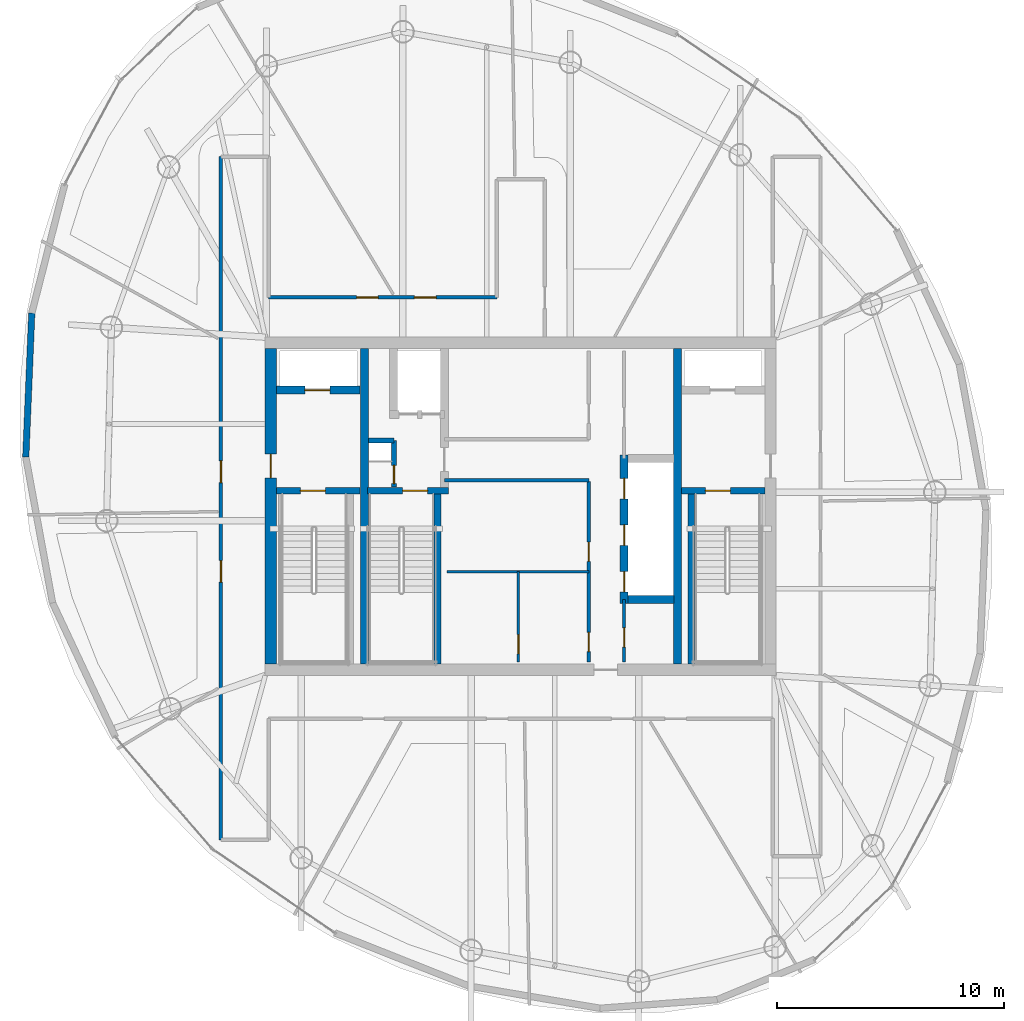
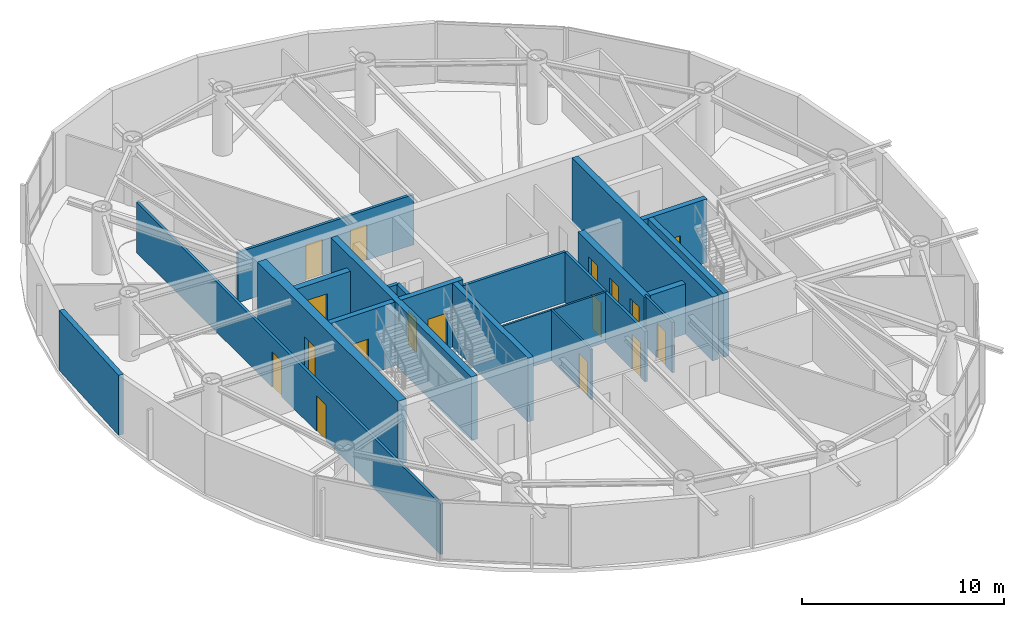
# One storey, part 11 of 16: 21 walls, 17 doors, 17 openings.
"""IFC4 building model written with IfcOpenShell, lengths in metres."""

from ifc_helpers import new_model, si_unit, direction, frame, frame_2d, origin, place, context, subcontext, project, spatial, rectangle, extrude, material, layer, layer_set, type_object, element, fill, save


model = new_model("IFC4")

# Units and contexts
model_context = context("Model", 3, precision=1e-05, world=origin(), true_north=direction((0.0, 1.0)))
body_context = subcontext(model_context, "Body", "Model", "MODEL_VIEW")
ifc_project = project(units=[si_unit("LENGTHUNIT", "METRE"), si_unit("AREAUNIT", "SQUARE_METRE"), si_unit("VOLUMEUNIT", "CUBIC_METRE"), si_unit("PLANEANGLEUNIT", "RADIAN"), si_unit("MASSUNIT", "GRAM", prefix="KILO")], contexts=[model_context])

# Site, building, storey
site_placement = place(None, origin())
site = spatial("IfcSite", under=ifc_project, at=site_placement, CompositionType="ELEMENT")
building_placement = place(site_placement, origin())
building = spatial("IfcBuilding", under=site, at=building_placement, Name="Bramvorn Convention Spire", CompositionType="ELEMENT")
storey_placement = place(building_placement, frame((0.0, 0.0, 261.300048828125)))
storey = spatial("IfcBuildingStorey", under=building, at=storey_placement, Name="L66", CompositionType="ELEMENT", Elevation=261.300048828125)

# Wall, opening, door
ifc_material_1 = material(Name="Concrete C50/60", Category="concrete")
ifc_layer_1 = layer(ifc_material_1, 0.5)
ifc_layer_set_1 = layer_set([ifc_layer_1], Name="Concrete C50/60 - WL-CORE-500")
wall_type_1 = type_object("IfcWallType", Name="WL-CORE-500", PredefinedType="SHEAR", material=ifc_layer_set_1)
wall_1_placement = place(storey_placement, frame((27.0, 19.050048828125, 0.0), z_axis=(0.0, 0.0, 1.0), x_axis=(0.0, 1.0, 0.0)))
wall_1 = element("IfcWall", 1, at=wall_1_placement, inside=storey, type_object=wall_type_1, Name="L66 West RC core shear wall", PredefinedType="SHEAR", context=body_context, shape_type="SweptSolid", body=[
    extrude(rectangle(XDim=13.89990234375, YDim=0.5, at=frame_2d((6.949951171875, 0.0))), origin(), (0.0, 0.0, 1.0), 3.849853515625),
])
opening_1_placement = place(wall_1_placement, frame((8.199951171875, 0.0, 0.0)))
opening_1 = element("IfcOpeningElement", 2, at=opening_1_placement, cuts=wall_1, Name="Opening DL-105", PredefinedType="OPENING", context=body_context, shape_type="SweptSolid", body=[
    extrude(rectangle(XDim=1.050048828125, YDim=2.14990234375, at=frame_2d((0.52490234375, 1.074951171875))), frame((0.0, 0.260009765625, 0.0), z_axis=(0.0, -1.0, 0.0), x_axis=(1.0, 0.0, 0.0)), (0.0, 0.0, 1.0), 0.52001953125),
])
ifc_material_2 = material(Name="Smoke-Sealed Fire Lobby Timber-Core Door", Category="wood")
door_type_1 = type_object("IfcDoorType", Name="DR-LOBBY-1050", OperationType="NOTDEFINED", PredefinedType="DOOR", material=ifc_material_2)
door_1_placement = place(opening_1_placement, origin())
door_1 = element("IfcDoor", 3, at=door_1_placement, inside=storey, type_object=door_type_1, Name="L66 West Firefighting Lobby corridor door", OperationType="SINGLE_SWING_RIGHT", OverallHeight=2.14990234375, OverallWidth=1.050048828125, PredefinedType="DOOR", context=body_context, shape_type="SweptSolid", body=[
    extrude(rectangle(XDim=1.050048828125, YDim=2.14990234375, at=frame_2d((0.52490234375, 1.074951171875))), frame((0.0, 0.02490234375, 0.0), z_axis=(0.0, -1.0, 0.0), x_axis=(1.0, 0.0, 0.0)), (0.0, 0.0, 1.0), 0.050048828125),
])
fill(opening_1, door_1)

# Walls
ifc_layer_2 = layer(ifc_material_1, 0.35009765625)
ifc_layer_set_2 = layer_set([ifc_layer_2], Name="Concrete C50/60 - WL-CORE-INT-350")
wall_type_2 = type_object("IfcWallType", Name="WL-CORE-INT-350", PredefinedType="SHEAR", material=ifc_layer_set_2)
for number, where, z_axis, x_axis, name in (
    (4, (31.1298828125, 19.050048828125, 0.0), (0.0, 0.0, 1.0), (0.0, 1.0, 0.0), "L66 West internal core shear web"),
    (5, (44.89990234375, 19.050048828125, 0.0), (0.0, 0.0, 1.0), (0.0, 1.0, 0.0), "L66 East internal core shear web"),
):
    element("IfcWall", number, at=place(storey_placement, frame(where, z_axis=z_axis, x_axis=x_axis)), inside=storey, type_object=wall_type_2, Name=name, PredefinedType="SHEAR", context=body_context, shape_type="SweptSolid", body=[
        extrude(rectangle(XDim=13.89990234375, YDim=0.35009765625, at=frame_2d((6.949951171875, 0.0))), origin(), (0.0, 0.0, 1.0), 3.849853515625),
    ])

# Wall, opening, door
wall_2_placement = place(storey_placement, frame((27.25, 31.1201171875, 0.0), z_axis=(0.0, 0.0, 1.0), x_axis=(1.0, 0.0, 0.0)))
wall_2 = element("IfcWall", 6, at=wall_2_placement, inside=storey, type_object=wall_type_2, Name="L66 FE1 shaft front wall", PredefinedType="SHEAR", context=body_context, shape_type="SweptSolid", body=[
    extrude(rectangle(XDim=3.669921875, YDim=0.35009765625, at=frame_2d((1.8349609375, 0.0))), origin(), (0.0, 0.0, 1.0), 3.0400390625),
])
opening_2_placement = place(wall_2_placement, frame((1.25, 0.0, 0.0)))
opening_2 = element("IfcOpeningElement", 7, at=opening_2_placement, cuts=wall_2, Name="Opening LD-110", PredefinedType="OPENING", context=body_context, shape_type="SweptSolid", body=[
    extrude(rectangle(XDim=1.10009765625, YDim=2.14990234375, at=frame_2d((0.550048828125, 1.074951171875))), frame((0.0, 0.18505859375, 0.0), z_axis=(0.0, -1.0, 0.0), x_axis=(1.0, 0.0, 0.0)), (0.0, 0.0, 1.0), 0.3701171875),
])
ifc_material_3 = material(Name="Firefighting & Service Lift Sliding Landing Door", Category="steel")
door_type_2 = type_object("IfcDoorType", Name="DR-LIFT-LD-1100", OperationType="NOTDEFINED", PredefinedType="DOOR", material=ifc_material_3)
door_2_placement = place(opening_2_placement, origin())
door_2 = element("IfcDoor", 8, at=door_2_placement, inside=storey, type_object=door_type_2, Name="L66 Lift FE1 Sliding Landing Door", OperationType="SLIDING_TO_LEFT", OverallHeight=2.14990234375, OverallWidth=1.10009765625, PredefinedType="DOOR", context=body_context, shape_type="SweptSolid", body=[
    extrude(rectangle(XDim=1.10009765625, YDim=2.14990234375, at=frame_2d((0.550048828125, 1.074951171875))), frame((0.0, 0.02490234375, 0.0), z_axis=(0.0, -1.0, 0.0), x_axis=(1.0, 0.0, 0.0)), (0.0, 0.0, 1.0), 0.050048828125),
])
fill(opening_2, door_2)

# Wall, openings, doors
wall_3_placement = place(storey_placement, frame((42.550048828125, 21.72998046875, 0.0), z_axis=(0.0, 0.0, 1.0), x_axis=(0.0, 1.0, 0.0)))
wall_3 = element("IfcWall", 9, at=wall_3_placement, inside=storey, type_object=wall_type_2, Name="L66 High-rise lift bank west wall", PredefinedType="SHEAR", context=body_context, shape_type="SweptSolid", body=[
    extrude(rectangle(XDim=6.5400390625, YDim=0.35009765625, at=frame_2d((3.27001953125, 0.0))), origin(), (0.0, 0.0, 1.0), 3.0400390625),
])
opening_3_placement = place(wall_3_placement, frame((0.5, 0.0, 0.0)))
opening_3 = element("IfcOpeningElement", 10, at=opening_3_placement, cuts=wall_3, Name="Opening LD-090", PredefinedType="OPENING", context=body_context, shape_type="SweptSolid", body=[
    extrude(rectangle(XDim=0.89990234375, YDim=2.14990234375, at=frame_2d((0.449951171875, 1.074951171875))), frame((0.0, 0.18505859375, 0.0), z_axis=(0.0, -1.0, 0.0), x_axis=(1.0, 0.0, 0.0)), (0.0, 0.0, 1.0), 0.3701171875),
])
opening_4_placement = place(wall_3_placement, frame((2.550048828125, 0.0, 0.0)))
opening_4 = element("IfcOpeningElement", 11, at=opening_4_placement, cuts=wall_3, Name="Opening LD-090", PredefinedType="OPENING", context=body_context, shape_type="SweptSolid", body=[
    extrude(rectangle(XDim=0.89990234375, YDim=2.14990234375, at=frame_2d((0.449951171875, 1.074951171875))), frame((0.0, 0.18505859375, 0.0), z_axis=(0.0, -1.0, 0.0), x_axis=(1.0, 0.0, 0.0)), (0.0, 0.0, 1.0), 0.3701171875),
])
opening_5_placement = place(wall_3_placement, frame((4.60009765625, 0.0, 0.0)))
opening_5 = element("IfcOpeningElement", 12, at=opening_5_placement, cuts=wall_3, Name="Opening LD-090", PredefinedType="OPENING", context=body_context, shape_type="SweptSolid", body=[
    extrude(rectangle(XDim=0.89990234375, YDim=2.14990234375, at=frame_2d((0.449951171875, 1.074951171875))), frame((0.0, 0.18505859375, 0.0), z_axis=(0.0, -1.0, 0.0), x_axis=(1.0, 0.0, 0.0)), (0.0, 0.0, 1.0), 0.3701171875),
])
ifc_material_4 = material(Name="Bi-Parting Fire-Rated Lift Landing Door", Category="steel")
door_type_3 = type_object("IfcDoorType", Name="DR-LIFT-LD-900", OperationType="NOTDEFINED", PredefinedType="DOOR", material=ifc_material_4)
door_3_placement = place(opening_3_placement, origin())
door_3 = element("IfcDoor", 13, at=door_3_placement, inside=storey, type_object=door_type_3, Name="L66 Lift PH1 Sliding Landing Door", OperationType="SLIDING_TO_LEFT", OverallHeight=2.14990234375, OverallWidth=0.89990234375, PredefinedType="DOOR", context=body_context, shape_type="SweptSolid", body=[
    extrude(rectangle(XDim=0.89990234375, YDim=2.14990234375, at=frame_2d((0.449951171875, 1.074951171875))), frame((0.0, 0.02490234375, 0.0), z_axis=(0.0, -1.0, 0.0), x_axis=(1.0, 0.0, 0.0)), (0.0, 0.0, 1.0), 0.050048828125),
])
fill(opening_3, door_3)
door_4_placement = place(opening_4_placement, origin())
door_4 = element("IfcDoor", 14, at=door_4_placement, inside=storey, type_object=door_type_3, Name="L66 Lift PH2 Sliding Landing Door", OperationType="SLIDING_TO_LEFT", OverallHeight=2.14990234375, OverallWidth=0.89990234375, PredefinedType="DOOR", context=body_context, shape_type="SweptSolid", body=[
    extrude(rectangle(XDim=0.89990234375, YDim=2.14990234375, at=frame_2d((0.449951171875, 1.074951171875))), frame((0.0, 0.02490234375, 0.0), z_axis=(0.0, -1.0, 0.0), x_axis=(1.0, 0.0, 0.0)), (0.0, 0.0, 1.0), 0.050048828125),
])
fill(opening_4, door_4)
door_5_placement = place(opening_5_placement, origin())
door_5 = element("IfcDoor", 15, at=door_5_placement, inside=storey, type_object=door_type_3, Name="L66 Lift PH3 Sliding Landing Door", OperationType="SLIDING_TO_LEFT", OverallHeight=2.14990234375, OverallWidth=0.89990234375, PredefinedType="DOOR", context=body_context, shape_type="SweptSolid", body=[
    extrude(rectangle(XDim=0.89990234375, YDim=2.14990234375, at=frame_2d((0.449951171875, 1.074951171875))), frame((0.0, 0.02490234375, 0.0), z_axis=(0.0, -1.0, 0.0), x_axis=(1.0, 0.0, 0.0)), (0.0, 0.0, 1.0), 0.050048828125),
])
fill(opening_5, door_5)

# Walls
wall_4_placement = place(storey_placement, frame((42.719970703125, 21.89990234375, 0.0), z_axis=(0.0, 0.0, 1.0), x_axis=(1.0, 0.0, 0.0)))
element("IfcWall", 16, at=wall_4_placement, inside=storey, type_object=wall_type_2, Name="L66 High-rise lift bank south wall", PredefinedType="SHEAR", context=body_context, shape_type="SweptSolid", body=[
    extrude(rectangle(XDim=2.030029296875, YDim=0.35009765625, at=frame_2d((1.01513671875, 0.0))), origin(), (0.0, 0.0, 1.0), 3.0400390625),
])
ifc_material_5 = material(Name="Precast Concrete C40/50 with Bronze Terracotta Rainscreen", Category="masonry")
ifc_layer_3 = layer(ifc_material_5, 0.300048828125)
ifc_layer_set_3 = layer_set([ifc_layer_3], Name="Precast Concrete C40/50 with Bronze Terracotta Rainscreen - WL-EXT-BRONZE-300")
wall_type_3 = type_object("IfcWallType", Name="WL-EXT-BRONZE-300", PredefinedType="SOLIDWALL", material=ifc_layer_set_3)
wall_5_placement = place(storey_placement, frame((16.20703125, 28.1708984375, 0.0), z_axis=(0.0, 0.0, 1.0), x_axis=(0.04151531728, 0.999137867579, 0.0)))
element("IfcWall", 17, at=wall_5_placement, inside=storey, type_object=wall_type_3, Name="L66 expressed bronze Gothic lancet pier wall 16", PredefinedType="SOLIDWALL", context=body_context, shape_type="SweptSolid", body=[
    extrude(rectangle(XDim=6.34521484375, YDim=0.280029296875, at=frame_2d((3.172607421875, 0.0))), origin(), (0.0, 0.0, 1.0), 3.625),
])
ifc_material_6 = material(Name="Lightweight En-Suite & Wet-Wall Partition", Category="gypsum")
ifc_layer_4 = layer(ifc_material_6, 0.110107421875)
ifc_layer_set_4 = layer_set([ifc_layer_4], Name="Lightweight En-Suite & Wet-Wall Partition - WL-PART-110")
wall_type_4 = type_object("IfcWallType", Name="WL-PART-110", PredefinedType="PARTITIONING", material=ifc_layer_set_4)
wall_6_placement = place(storey_placement, frame((34.75, 23.125, 0.0), z_axis=(0.0, 0.0, 1.0), x_axis=(1.0, 0.0, 0.0)))
element("IfcWall", 18, at=wall_6_placement, inside=storey, type_object=wall_type_4, Name="L66 KA horizontal core divider", PredefinedType="PARTITIONING", context=body_context, shape_type="SweptSolid", body=[
    extrude(rectangle(XDim=6.25, YDim=0.110107421875, at=frame_2d((3.125, 0.0))), origin(), (0.0, 0.0, 1.0), 3.0400390625),
])

# Wall, opening, door
wall_7_placement = place(storey_placement, frame((37.89990234375, 19.14990234375, 0.0), z_axis=(0.0, 0.0, 1.0), x_axis=(0.0, 1.0, 0.0)))
wall_7 = element("IfcWall", 19, at=wall_7_placement, inside=storey, type_object=wall_type_4, Name="L66 KA restroom subwall", PredefinedType="PARTITIONING", context=body_context, shape_type="SweptSolid", body=[
    extrude(rectangle(XDim=3.97509765625, YDim=0.110107421875, at=frame_2d((1.987548828125, 0.0))), origin(), (0.0, 0.0, 1.0), 3.0400390625),
])
opening_6_placement = place(wall_7_placement, frame((0.35009765625, 0.0, 0.0)))
opening_6 = element("IfcOpeningElement", 20, at=opening_6_placement, cuts=wall_7, Name="Opening DC-085", PredefinedType="OPENING", context=body_context, shape_type="SweptSolid", body=[
    extrude(rectangle(XDim=0.85009765625, YDim=2.10009765625, at=frame_2d((0.425048828125, 1.050048828125))), frame((0.0, 0.06494140625, 0.0), z_axis=(0.0, -1.0, 0.0), x_axis=(1.0, 0.0, 0.0)), (0.0, 0.0, 1.0), 0.130126953125),
])
ifc_material_7 = material(Name="Fire-Rated Core Washroom & IDF Door", Category="wood")
door_type_4 = type_object("IfcDoorType", Name="DR-CORE-850", OperationType="NOTDEFINED", PredefinedType="DOOR", material=ifc_material_7)
door_6_placement = place(opening_6_placement, origin())
door_6 = element("IfcDoor", 21, at=door_6_placement, inside=storey, type_object=door_type_4, Name="L66 Core IT Closet door", OperationType="SINGLE_SWING_LEFT", OverallHeight=2.10009765625, OverallWidth=0.85009765625, PredefinedType="DOOR", context=body_context, shape_type="SweptSolid", body=[
    extrude(rectangle(XDim=0.85009765625, YDim=2.10009765625, at=frame_2d((0.425048828125, 1.050048828125))), frame((0.0, 0.02490234375, 0.0), z_axis=(0.0, -1.0, 0.0), x_axis=(1.0, 0.0, 0.0)), (0.0, 0.0, 1.0), 0.050048828125),
])
fill(opening_6, door_6)

ifc_material_8 = material(Name="Metal-Stud Demountable Office Partition", Category="gypsum")
ifc_layer_5 = layer(ifc_material_8, 0.1298828125)
ifc_layer_set_5 = layer_set([ifc_layer_5], Name="Metal-Stud Demountable Office Partition - WL-PART-130")
wall_type_5 = type_object("IfcWallType", Name="WL-PART-130", PredefinedType="PARTITIONING", material=ifc_layer_set_5)
wall_8_placement = place(storey_placement, frame((42.550048828125, 19.14990234375, 0.0), z_axis=(0.0, 0.0, 1.0), x_axis=(0.0, 1.0, 0.0)))
wall_8 = element("IfcWall", 22, at=wall_8_placement, inside=storey, type_object=wall_type_5, Name="L66 KA SE store wall", PredefinedType="PARTITIONING", context=body_context, shape_type="SweptSolid", body=[
    extrude(rectangle(XDim=2.75, YDim=0.1298828125, at=frame_2d((1.375, 0.0))), origin(), (0.0, 0.0, 1.0), 3.0400390625),
])
opening_7_placement = place(wall_8_placement, frame((0.64990234375, 0.0, 0.0)))
opening_7 = element("IfcOpeningElement", 23, at=opening_7_placement, cuts=wall_8, Name="Opening DC-085", PredefinedType="OPENING", context=body_context, shape_type="SweptSolid", body=[
    extrude(rectangle(XDim=0.85009765625, YDim=2.10009765625, at=frame_2d((0.425048828125, 1.050048828125))), frame((0.0, 0.074951171875, 0.0), z_axis=(0.0, -1.0, 0.0), x_axis=(1.0, 0.0, 0.0)), (0.0, 0.0, 1.0), 0.14990234375),
])
door_7_placement = place(opening_7_placement, origin())
door_7 = element("IfcDoor", 24, at=door_7_placement, inside=storey, type_object=door_type_4, Name="L66 Tenant Pantry & Copy Centre door", OperationType="SINGLE_SWING_LEFT", OverallHeight=2.10009765625, OverallWidth=0.85009765625, PredefinedType="DOOR", context=body_context, shape_type="SweptSolid", body=[
    extrude(rectangle(XDim=0.85009765625, YDim=2.10009765625, at=frame_2d((0.425048828125, 1.050048828125))), frame((0.0, 0.02490234375, 0.0), z_axis=(0.0, -1.0, 0.0), x_axis=(1.0, 0.0, 0.0)), (0.0, 0.0, 1.0), 0.050048828125),
])
fill(opening_7, door_7)

# Wall
ifc_material_9 = material(Name="Acoustic Metal-Stud Tenant/Corridor Partition", Category="gypsum")
ifc_layer_6 = layer(ifc_material_9, 0.14990234375)
ifc_layer_set_6 = layer_set([ifc_layer_6], Name="Acoustic Metal-Stud Tenant/Corridor Partition - WL-PART-150")
wall_type_6 = type_object("IfcWallType", Name="WL-PART-150", PredefinedType="PARTITIONING", material=ifc_layer_set_6)
wall_9_placement = place(storey_placement, frame((34.639892578125, 27.14990234375, 0.0), z_axis=(0.0, 0.0, 1.0), x_axis=(1.0, 0.0, 0.0)))
element("IfcWall", 25, at=wall_9_placement, inside=storey, type_object=wall_type_6, Name="L66 Cross-core passage south wall", PredefinedType="PARTITIONING", context=body_context, shape_type="SweptSolid", body=[
    extrude(rectangle(XDim=6.360107421875, YDim=0.14990234375, at=frame_2d((3.18017578125, 0.0))), origin(), (0.0, 0.0, 1.0), 3.0400390625),
])

# Wall, openings, doors
wall_10_placement = place(storey_placement, frame((41.0, 19.14990234375, 0.0), z_axis=(0.0, 0.0, 1.0), x_axis=(0.0, 1.0, 0.0)))
wall_10 = element("IfcWall", 26, at=wall_10_placement, inside=storey, type_object=wall_type_6, Name="L66 KA east core wall", PredefinedType="PARTITIONING", context=body_context, shape_type="SweptSolid", body=[
    extrude(rectangle(XDim=7.9501953125, YDim=0.14990234375, at=frame_2d((3.97509765625, 0.0))), origin(), (0.0, 0.0, 1.0), 3.0400390625),
])
opening_8_placement = place(wall_10_placement, frame((4.425048828125, 0.0, 0.0)))
opening_8 = element("IfcOpeningElement", 27, at=opening_8_placement, cuts=wall_10, Name="Opening DC-085", PredefinedType="OPENING", context=body_context, shape_type="SweptSolid", body=[
    extrude(rectangle(XDim=0.85009765625, YDim=2.10009765625, at=frame_2d((0.425048828125, 1.050048828125))), frame((0.0, 0.0849609375, 0.0), z_axis=(0.0, -1.0, 0.0), x_axis=(1.0, 0.0, 0.0)), (0.0, 0.0, 1.0), 0.169921875),
])
opening_9_placement = place(wall_10_placement, frame((0.449951171875, 0.0, 0.0)))
opening_9 = element("IfcOpeningElement", 28, at=opening_9_placement, cuts=wall_10, Name="Opening DC-085", PredefinedType="OPENING", context=body_context, shape_type="SweptSolid", body=[
    extrude(rectangle(XDim=0.85009765625, YDim=2.10009765625, at=frame_2d((0.425048828125, 1.050048828125))), frame((0.0, 0.0849609375, 0.0), z_axis=(0.0, -1.0, 0.0), x_axis=(1.0, 0.0, 0.0)), (0.0, 0.0, 1.0), 0.169921875),
])
door_8_placement = place(opening_8_placement, origin())
door_8 = element("IfcDoor", 29, at=door_8_placement, inside=storey, type_object=door_type_4, Name="L66 Core Linen & Equipment Store door", OperationType="SINGLE_SWING_LEFT", OverallHeight=2.10009765625, OverallWidth=0.85009765625, PredefinedType="DOOR", context=body_context, shape_type="SweptSolid", body=[
    extrude(rectangle(XDim=0.85009765625, YDim=2.10009765625, at=frame_2d((0.425048828125, 1.050048828125))), frame((0.0, 0.02490234375, 0.0), z_axis=(0.0, -1.0, 0.0), x_axis=(1.0, 0.0, 0.0)), (0.0, 0.0, 1.0), 0.050048828125),
])
fill(opening_8, door_8)
door_9_placement = place(opening_9_placement, origin())
door_9 = element("IfcDoor", 30, at=door_9_placement, inside=storey, type_object=door_type_4, Name="L66 Accessible Core Restroom door", OperationType="SINGLE_SWING_LEFT", OverallHeight=2.10009765625, OverallWidth=0.85009765625, PredefinedType="DOOR", context=body_context, shape_type="SweptSolid", body=[
    extrude(rectangle(XDim=0.85009765625, YDim=2.10009765625, at=frame_2d((0.425048828125, 1.050048828125))), frame((0.0, 0.02490234375, 0.0), z_axis=(0.0, -1.0, 0.0), x_axis=(1.0, 0.0, 0.0)), (0.0, 0.0, 1.0), 0.050048828125),
])
fill(opening_9, door_9)

wall_11_placement = place(storey_placement, frame((26.89990234375, 35.199951171875, 0.0), z_axis=(0.0, 0.0, 1.0), x_axis=(1.0, 0.0, 0.0)))
wall_11 = element("IfcWall", 31, at=wall_11_placement, inside=storey, type_object=wall_type_6, Name="L66 North-west spur link wall", PredefinedType="PARTITIONING", context=body_context, shape_type="SweptSolid", body=[
    extrude(rectangle(XDim=10.050048828125, YDim=0.14990234375, at=frame_2d((5.02490234375, 0.0))), origin(), (0.0, 0.0, 1.0), 3.0400390625),
])
opening_10_placement = place(wall_11_placement, frame((6.421630859375, 0.0, 0.0)))
opening_10 = element("IfcOpeningElement", 32, at=opening_10_placement, cuts=wall_11, Name="Opening DH-095", PredefinedType="OPENING", context=body_context, shape_type="SweptSolid", body=[
    extrude(rectangle(XDim=0.949951171875, YDim=2.14990234375, at=frame_2d((0.47509765625, 1.074951171875))), frame((0.0, 0.0849609375, 0.0), z_axis=(0.0, -1.0, 0.0), x_axis=(1.0, 0.0, 0.0)), (0.0, 0.0, 1.0), 0.169921875),
])
opening_11_placement = place(wall_11_placement, frame((3.872314453125, 0.0, 0.0)))
opening_11 = element("IfcOpeningElement", 33, at=opening_11_placement, cuts=wall_11, Name="Opening DH-095", PredefinedType="OPENING", context=body_context, shape_type="SweptSolid", body=[
    extrude(rectangle(XDim=0.949951171875, YDim=2.14990234375, at=frame_2d((0.47509765625, 1.074951171875))), frame((0.0, 0.0849609375, 0.0), z_axis=(0.0, -1.0, 0.0), x_axis=(1.0, 0.0, 0.0)), (0.0, 0.0, 1.0), 0.169921875),
])
ifc_material_10 = material(Name="Solid-Core Acoustic Guestroom Entry Door", Category="wood")
door_type_5 = type_object("IfcDoorType", Name="DR-HOTEL-950", OperationType="NOTDEFINED", PredefinedType="DOOR", material=ifc_material_10)
door_10_placement = place(opening_10_placement, origin())
door_10 = element("IfcDoor", 34, at=door_10_placement, inside=storey, type_object=door_type_5, Name="L66 Associate Office Chamber 4 4 door", OperationType="SINGLE_SWING_RIGHT", OverallHeight=2.14990234375, OverallWidth=0.949951171875, PredefinedType="DOOR", context=body_context, shape_type="SweptSolid", body=[
    extrude(rectangle(XDim=0.949951171875, YDim=2.14990234375, at=frame_2d((0.47509765625, 1.074951171875))), frame((0.0, 0.02490234375, 0.0), z_axis=(0.0, -1.0, 0.0), x_axis=(1.0, 0.0, 0.0)), (0.0, 0.0, 1.0), 0.050048828125),
])
fill(opening_10, door_10)
door_11_placement = place(opening_11_placement, origin())
door_11 = element("IfcDoor", 35, at=door_11_placement, inside=storey, type_object=door_type_5, Name="L66 Associate Office Chamber 5 5 door", OperationType="SINGLE_SWING_LEFT", OverallHeight=2.14990234375, OverallWidth=0.949951171875, PredefinedType="DOOR", context=body_context, shape_type="SweptSolid", body=[
    extrude(rectangle(XDim=0.949951171875, YDim=2.14990234375, at=frame_2d((0.47509765625, 1.074951171875))), frame((0.0, 0.02490234375, 0.0), z_axis=(0.0, -1.0, 0.0), x_axis=(1.0, 0.0, 0.0)), (0.0, 0.0, 1.0), 0.050048828125),
])
fill(opening_11, door_11)

wall_12_placement = place(storey_placement, frame((24.800048828125, 11.319580078125, 0.0), z_axis=(0.0, 0.0, 1.0), x_axis=(0.0, 1.0, 0.0)))
wall_12 = element("IfcWall", 36, at=wall_12_placement, inside=storey, type_object=wall_type_6, Name="L66 West N-S gallery outer wall", PredefinedType="PARTITIONING", context=body_context, shape_type="SweptSolid", body=[
    extrude(rectangle(XDim=30.080322265625, YDim=0.14990234375, at=frame_2d((15.0400390625, 0.0))), origin(), (0.0, 0.0, 1.0), 3.0400390625),
])
opening_12_placement = place(wall_12_placement, frame((15.7294921875, 0.0, 0.0)))
opening_12 = element("IfcOpeningElement", 37, at=opening_12_placement, cuts=wall_12, Name="Opening DH-095", PredefinedType="OPENING", context=body_context, shape_type="SweptSolid", body=[
    extrude(rectangle(XDim=0.949951171875, YDim=2.14990234375, at=frame_2d((0.47509765625, 1.074951171875))), frame((0.0, 0.0849609375, 0.0), z_axis=(0.0, -1.0, 0.0), x_axis=(1.0, 0.0, 0.0)), (0.0, 0.0, 1.0), 0.169921875),
])
opening_13_placement = place(wall_12_placement, frame((11.34033203125, 0.0, 0.0)))
opening_13 = element("IfcOpeningElement", 38, at=opening_13_placement, cuts=wall_12, Name="Opening DH-095", PredefinedType="OPENING", context=body_context, shape_type="SweptSolid", body=[
    extrude(rectangle(XDim=0.949951171875, YDim=2.14990234375, at=frame_2d((0.47509765625, 1.074951171875))), frame((0.0, 0.0849609375, 0.0), z_axis=(0.0, -1.0, 0.0), x_axis=(1.0, 0.0, 0.0)), (0.0, 0.0, 1.0), 0.169921875),
])
door_12_placement = place(opening_12_placement, origin())
door_12 = element("IfcDoor", 39, at=door_12_placement, inside=storey, type_object=door_type_5, Name="L66 Associate Office Chamber 6 6 door", OperationType="SINGLE_SWING_RIGHT", OverallHeight=2.14990234375, OverallWidth=0.949951171875, PredefinedType="DOOR", context=body_context, shape_type="SweptSolid", body=[
    extrude(rectangle(XDim=0.949951171875, YDim=2.14990234375, at=frame_2d((0.47509765625, 1.074951171875))), frame((0.0, 0.02490234375, 0.0), z_axis=(0.0, -1.0, 0.0), x_axis=(1.0, 0.0, 0.0)), (0.0, 0.0, 1.0), 0.050048828125),
])
fill(opening_12, door_12)
door_13_placement = place(opening_13_placement, origin())
door_13 = element("IfcDoor", 40, at=door_13_placement, inside=storey, type_object=door_type_5, Name="L66 Arbitration Meeting Room 1 7 door", OperationType="SINGLE_SWING_LEFT", OverallHeight=2.14990234375, OverallWidth=0.949951171875, PredefinedType="DOOR", context=body_context, shape_type="SweptSolid", body=[
    extrude(rectangle(XDim=0.949951171875, YDim=2.14990234375, at=frame_2d((0.47509765625, 1.074951171875))), frame((0.0, 0.02490234375, 0.0), z_axis=(0.0, -1.0, 0.0), x_axis=(1.0, 0.0, 0.0)), (0.0, 0.0, 1.0), 0.050048828125),
])
fill(opening_13, door_13)

# Wall, opening, door
ifc_material_11 = material(Name="Gypsum Shaftwall & Rockwool Core Partition", Category="gypsum")
ifc_layer_7 = layer(ifc_material_11, 0.199951171875)
ifc_layer_set_7 = layer_set([ifc_layer_7], Name="Gypsum Shaftwall & Rockwool Core Partition - WL-PART-200-FR")
wall_type_7 = type_object("IfcWallType", Name="WL-PART-200-FR", PredefinedType="PARTITIONING", material=ifc_layer_set_7)
wall_13_placement = place(storey_placement, frame((32.419921875, 26.860107421875, 0.0), z_axis=(0.0, 0.0, 1.0), x_axis=(0.0, 1.0, 0.0)))
wall_13 = element("IfcWall", 41, at=wall_13_placement, inside=storey, type_object=wall_type_7, Name="L66 Telecom riser east wall", PredefinedType="PARTITIONING", context=body_context, shape_type="SweptSolid", body=[
    extrude(rectangle(XDim=2.039794921875, YDim=0.199951171875, at=frame_2d((1.02001953125, 0.0))), origin(), (0.0, 0.0, 1.0), 3.0400390625),
])
opening_14_placement = place(wall_13_placement, frame((0.139892578125, 0.0, 0.0)))
opening_14 = element("IfcOpeningElement", 42, at=opening_14_placement, cuts=wall_13, Name="Opening DR-080", PredefinedType="OPENING", context=body_context, shape_type="SweptSolid", body=[
    extrude(rectangle(XDim=0.800048828125, YDim=2.050048828125, at=frame_2d((0.39990234375, 1.02490234375))), frame((0.0, 0.10986328125, 0.0), z_axis=(0.0, -1.0, 0.0), x_axis=(1.0, 0.0, 0.0)), (0.0, 0.0, 1.0), 0.219970703125),
])
ifc_material_12 = material(Name="Flush Steel Riser Access Door", Category="steel")
door_type_6 = type_object("IfcDoorType", Name="DR-RISER-800", OperationType="NOTDEFINED", PredefinedType="DOOR", material=ifc_material_12)
door_14_placement = place(opening_14_placement, origin())
door_14 = element("IfcDoor", 43, at=door_14_placement, inside=storey, type_object=door_type_6, Name="L66 Telecom riser access door", OperationType="SINGLE_SWING_RIGHT", OverallHeight=2.050048828125, OverallWidth=0.800048828125, PredefinedType="DOOR", context=body_context, shape_type="SweptSolid", body=[
    extrude(rectangle(XDim=0.800048828125, YDim=2.050048828125, at=frame_2d((0.39990234375, 1.02490234375))), frame((0.0, 0.02490234375, 0.0), z_axis=(0.0, -1.0, 0.0), x_axis=(1.0, 0.0, 0.0)), (0.0, 0.0, 1.0), 0.050048828125),
])
fill(opening_14, door_14)

# Wall
wall_14_placement = place(storey_placement, frame((31.300048828125, 28.89990234375, 0.0), z_axis=(0.0, 0.0, 1.0), x_axis=(1.0, 0.0, 0.0)))
element("IfcWall", 44, at=wall_14_placement, inside=storey, type_object=wall_type_7, Name="L66 Telecom riser north wall", PredefinedType="PARTITIONING", context=body_context, shape_type="SweptSolid", body=[
    extrude(rectangle(XDim=1.119873046875, YDim=0.199951171875, at=frame_2d((0.56005859375, 0.0))), origin(), (0.0, 0.0, 1.0), 3.0400390625),
])

# Wall, opening, door
ifc_layer_8 = layer(ifc_material_1, 0.300048828125)
ifc_layer_set_8 = layer_set([ifc_layer_8], Name="Concrete C50/60 - WL-POD-STAIR-300")
wall_type_8 = type_object("IfcWallType", Name="WL-POD-STAIR-300", PredefinedType="SHEAR", material=ifc_layer_set_8)
wall_15_placement = place(storey_placement, frame((27.25, 26.68994140625, 0.0), z_axis=(0.0, 0.0, 1.0), x_axis=(1.0, 0.0, 0.0)))
wall_15 = element("IfcWall", 45, at=wall_15_placement, inside=storey, type_object=wall_type_8, Name="L66 ST1 north fire wall", PredefinedType="SHEAR", context=body_context, shape_type="SweptSolid", body=[
    extrude(rectangle(XDim=3.669921875, YDim=0.300048828125, at=frame_2d((1.8349609375, 0.0))), origin(), (0.0, 0.0, 1.0), 3.849853515625),
])
opening_15_placement = place(wall_15_placement, frame((1.050048828125, 0.0, 0.0)))
opening_15 = element("IfcOpeningElement", 46, at=opening_15_placement, cuts=wall_15, Name="Opening DS-110", PredefinedType="OPENING", context=body_context, shape_type="SweptSolid", body=[
    extrude(rectangle(XDim=1.10009765625, YDim=2.14990234375, at=frame_2d((0.550048828125, 1.074951171875))), frame((0.0, 0.159912109375, 0.0), z_axis=(0.0, -1.0, 0.0), x_axis=(1.0, 0.0, 0.0)), (0.0, 0.0, 1.0), 0.320068359375),
])
ifc_material_13 = material(Name="Fire-Rated Hollow Steel Stairwell Door", Category="steel")
door_type_7 = type_object("IfcDoorType", Name="DR-STAIR-1100", OperationType="NOTDEFINED", PredefinedType="DOOR", material=ifc_material_13)
door_15_placement = place(opening_15_placement, origin())
door_15 = element("IfcDoor", 47, at=door_15_placement, inside=storey, type_object=door_type_7, Name="L66 Stair ST1 fire door", OperationType="SINGLE_SWING_LEFT", OverallHeight=2.14990234375, OverallWidth=1.10009765625, PredefinedType="DOOR", context=body_context, shape_type="SweptSolid", body=[
    extrude(rectangle(XDim=1.10009765625, YDim=2.14990234375, at=frame_2d((0.550048828125, 1.074951171875))), frame((0.0, 0.02490234375, 0.0), z_axis=(0.0, -1.0, 0.0), x_axis=(1.0, 0.0, 0.0)), (0.0, 0.0, 1.0), 0.050048828125),
])
fill(opening_15, door_15)

wall_16_placement = place(storey_placement, frame((45.080078125, 26.68994140625, 0.0), z_axis=(0.0, 0.0, 1.0), x_axis=(1.0, 0.0, 0.0)))
wall_16 = element("IfcWall", 48, at=wall_16_placement, inside=storey, type_object=wall_type_8, Name="L66 ST2 north fire wall", PredefinedType="SHEAR", context=body_context, shape_type="SweptSolid", body=[
    extrude(rectangle(XDim=3.669921875, YDim=0.300048828125, at=frame_2d((1.8349609375, 0.0))), origin(), (0.0, 0.0, 1.0), 3.849853515625),
])
opening_16_placement = place(wall_16_placement, frame((1.050048828125, 0.0, 0.0)))
opening_16 = element("IfcOpeningElement", 49, at=opening_16_placement, cuts=wall_16, Name="Opening DS-110", PredefinedType="OPENING", context=body_context, shape_type="SweptSolid", body=[
    extrude(rectangle(XDim=1.10009765625, YDim=2.14990234375, at=frame_2d((0.550048828125, 1.074951171875))), frame((0.0, 0.159912109375, 0.0), z_axis=(0.0, -1.0, 0.0), x_axis=(1.0, 0.0, 0.0)), (0.0, 0.0, 1.0), 0.320068359375),
])
door_16_placement = place(opening_16_placement, origin())
door_16 = element("IfcDoor", 50, at=door_16_placement, inside=storey, type_object=door_type_7, Name="L66 Stair ST2 fire door", OperationType="SINGLE_SWING_RIGHT", OverallHeight=2.14990234375, OverallWidth=1.10009765625, PredefinedType="DOOR", context=body_context, shape_type="SweptSolid", body=[
    extrude(rectangle(XDim=1.10009765625, YDim=2.14990234375, at=frame_2d((0.550048828125, 1.074951171875))), frame((0.0, 0.02490234375, 0.0), z_axis=(0.0, -1.0, 0.0), x_axis=(1.0, 0.0, 0.0)), (0.0, 0.0, 1.0), 0.050048828125),
])
fill(opening_16, door_16)

# Walls
for number, where, z_axis, x_axis, name in (
    (51, (45.510009765625, 19.050048828125, 0.0), (0.0, 0.0, 1.0), (0.0, 1.0, 0.0), "L66 ST2 west bearing wall"),
    (52, (34.340087890625, 19.050048828125, 0.0), (0.0, 0.0, 1.0), (0.0, 1.0, 0.0), "L66 ST3 east bearing wall"),
):
    element("IfcWall", number, at=place(storey_placement, frame(where, z_axis=z_axis, x_axis=x_axis)), inside=storey, type_object=wall_type_8, Name=name, PredefinedType="SHEAR", context=body_context, shape_type="SweptSolid", body=[
        extrude(rectangle(XDim=7.5, YDim=0.300048828125, at=frame_2d((3.75, 0.0))), origin(), (0.0, 0.0, 1.0), 3.849853515625),
    ])

# Wall, opening, door
wall_17_placement = place(storey_placement, frame((31.25, 26.68994140625, 0.0), z_axis=(0.0, 0.0, 1.0), x_axis=(1.0, 0.0, 0.0)))
wall_17 = element("IfcWall", 53, at=wall_17_placement, inside=storey, type_object=wall_type_8, Name="L66 ST3 north lobby wall", PredefinedType="SHEAR", context=body_context, shape_type="SweptSolid", body=[
    extrude(rectangle(XDim=3.56005859375, YDim=0.300048828125, at=frame_2d((1.780029296875, 0.0))), origin(), (0.0, 0.0, 1.0), 3.849853515625),
])
opening_17_placement = place(wall_17_placement, frame((1.550048828125, 0.0, 0.0)))
opening_17 = element("IfcOpeningElement", 54, at=opening_17_placement, cuts=wall_17, Name="Opening DS-110", PredefinedType="OPENING", context=body_context, shape_type="SweptSolid", body=[
    extrude(rectangle(XDim=1.10009765625, YDim=2.14990234375, at=frame_2d((0.550048828125, 1.074951171875))), frame((0.0, 0.159912109375, 0.0), z_axis=(0.0, -1.0, 0.0), x_axis=(1.0, 0.0, 0.0)), (0.0, 0.0, 1.0), 0.320068359375),
])
door_17_placement = place(opening_17_placement, origin())
door_17 = element("IfcDoor", 55, at=door_17_placement, inside=storey, type_object=door_type_7, Name="L66 Stair ST3 fire door", OperationType="SINGLE_SWING_LEFT", OverallHeight=2.14990234375, OverallWidth=1.10009765625, PredefinedType="DOOR", context=body_context, shape_type="SweptSolid", body=[
    extrude(rectangle(XDim=1.10009765625, YDim=2.14990234375, at=frame_2d((0.550048828125, 1.074951171875))), frame((0.0, 0.02490234375, 0.0), z_axis=(0.0, -1.0, 0.0), x_axis=(1.0, 0.0, 0.0)), (0.0, 0.0, 1.0), 0.050048828125),
])
fill(opening_17, door_17)

save(model, "model.ifc")
